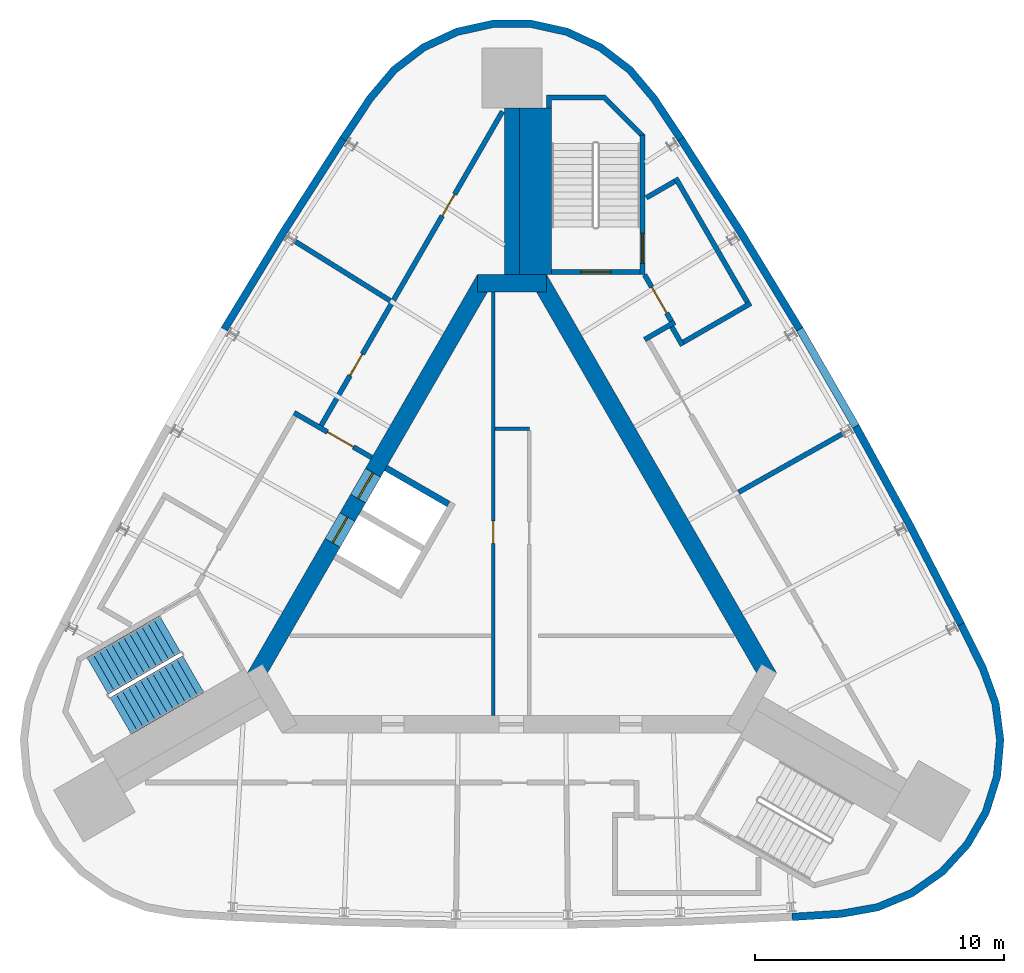
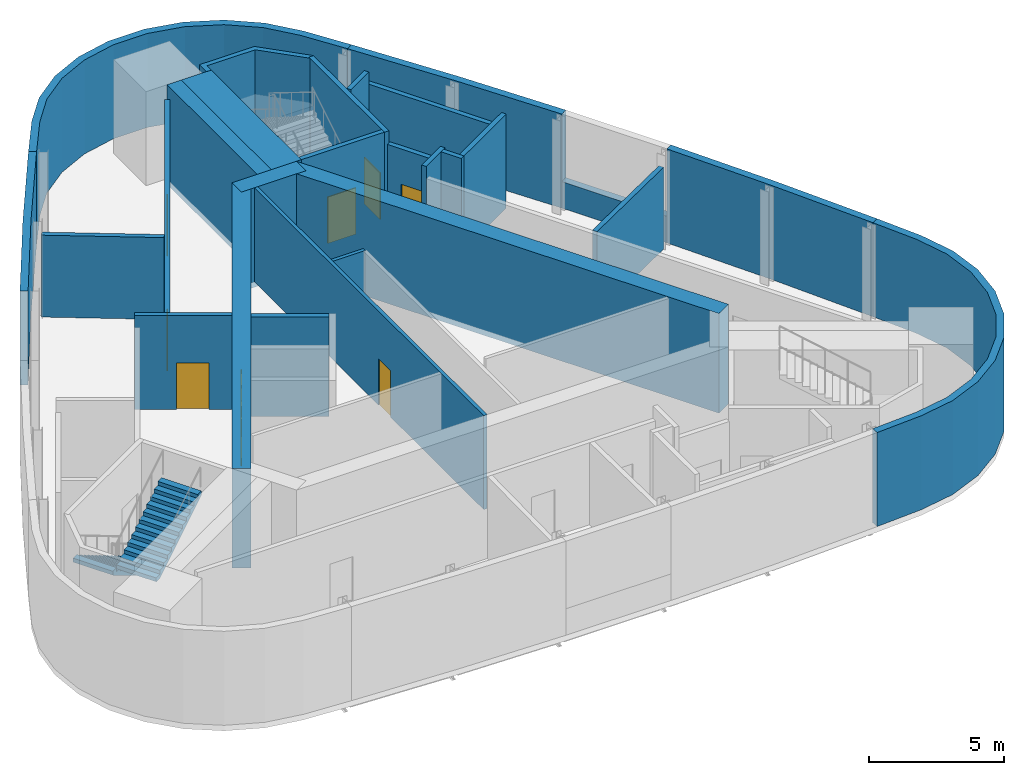
# One storey, part 5 of 7: 27 walls, 9 doors, 2 stair flights, 9 openings, 1 element without a shape of its own.
"""IFC4 building model written with IfcOpenShell, lengths in metres."""

import ifcopenshell
import ifcopenshell.guid

model = None  # the IFC model being written
_history = None  # IfcOwnerHistory: only IFC2X3 demands one
_inside = {}  # id of a spatial element -> (the spatial element, [elements in it])
_under = {}  # id of a project, library or spatial element -> (it, [spatial elements below it])
_declared = {}  # id of a project -> (the project, [libraries it declares])
_typed = {}  # id of a type object -> (the type object, [elements of that type])
_made_of = {}  # id of a material, layer set ... -> (it, [elements and type objects made of it])


def new_model(schema):
    """Start an empty IFC model of exactly this schema.

    Asked for "IFC4X3", IfcOpenShell would pick the latest addendum, in which some entities
    have other attributes; the version numbers below select the first issue.
    IFC2X3 requires an IfcOwnerHistory on every rooted entity: one is made here for all.
    """
    global model, _history
    if schema == "IFC4X3":
        model = ifcopenshell.file(schema_version=(4, 3, 0, 0))
    else:
        model = ifcopenshell.file(schema=schema)
    _inside.clear()
    _under.clear()
    _declared.clear()
    _typed.clear()
    _made_of.clear()
    _history = None
    if model.schema == "IFC2X3":
        org = make("IfcOrganization", Name="unknown")
        user = make(
            "IfcPersonAndOrganization",
            ThePerson=make("IfcPerson", FamilyName="unknown"),
            TheOrganization=org,
        )
        app = make(
            "IfcApplication",
            ApplicationDeveloper=org,
            Version="unknown",
            ApplicationFullName="unknown",
            ApplicationIdentifier="unknown",
        )
        _history = make(
            "IfcOwnerHistory",
            OwningUser=user,
            OwningApplication=app,
            ChangeAction="ADDED",
            CreationDate=0,
        )
    return model


def make(cls, **values):
    """One entity of the class cls with the attributes given. An attribute that is None is left unset."""
    return model.create_entity(
        cls, **{name: value for name, value in values.items() if value is not None}
    )


def rooted(cls, **values):
    """An entity with a GlobalId (a new one), such as an element, a storey or a relation."""
    return make(cls, GlobalId=ifcopenshell.guid.new(), OwnerHistory=_history, **values)


def si_unit(unit_type, name, prefix=None):
    """IfcSIUnit, for example si_unit("LENGTHUNIT", "METRE", prefix="MILLI")."""
    return make("IfcSIUnit", UnitType=unit_type, Prefix=prefix, Name=name)


def assignment(units):
    """IfcUnitAssignment: the units of a project."""
    return None if units is None else make("IfcUnitAssignment", Units=units)


def point(xyz):
    """IfcCartesianPoint."""
    return None if xyz is None else make("IfcCartesianPoint", Coordinates=xyz)


def direction(xyz):
    """IfcDirection."""
    return None if xyz is None else make("IfcDirection", DirectionRatios=xyz)


def frame(location, z_axis=None, x_axis=None):
    """IfcAxis2Placement3D, a coordinate frame: its origin and axes. An axis left out is left unset."""
    return make(
        "IfcAxis2Placement3D",
        Location=point(location),
        Axis=direction(z_axis),
        RefDirection=direction(x_axis),
    )


def frame_2d(location, x_axis=None):
    """IfcAxis2Placement2D, a coordinate frame in the plane: its origin and x axis."""
    return make(
        "IfcAxis2Placement2D", Location=point(location), RefDirection=direction(x_axis)
    )


def origin():
    """The frame at (0, 0, 0) with its axes left unset."""
    return frame((0.0, 0.0, 0.0))


def place(relative_to, where):
    """IfcLocalPlacement: puts the frame where relative to a parent placement (None: the world)."""
    return make(
        "IfcLocalPlacement", PlacementRelTo=relative_to, RelativePlacement=where
    )


def context(
    kind, dimensions, precision=None, world=None, true_north=None, identifier=None
):
    """IfcGeometricRepresentationContext, for example the 3D "Model" context."""
    return make(
        "IfcGeometricRepresentationContext",
        ContextIdentifier=identifier,
        ContextType=kind,
        CoordinateSpaceDimension=dimensions,
        Precision=precision,
        WorldCoordinateSystem=world,
        TrueNorth=true_north,
    )


def subcontext(parent, identifier, kind, view, scale=None):
    """IfcGeometricRepresentationSubContext, for example "Body" below "Model"."""
    return make(
        "IfcGeometricRepresentationSubContext",
        ContextIdentifier=identifier,
        ContextType=kind,
        ParentContext=parent,
        TargetScale=scale,
        TargetView=view,
    )


def project(units=None, contexts=None):
    """IfcProject with its units and contexts."""
    return rooted(
        "IfcProject",
        Name="project",
        RepresentationContexts=contexts,
        UnitsInContext=assignment(units),
    )


def spatial(cls, under=None, at=None, **own):
    """A site, building, storey or space (cls), placed at a placement, below another one or the project."""
    s = rooted(cls, ObjectPlacement=at, **own)
    if under is not None:
        _under.setdefault(under.id(), (under, []))[1].append(s)
    return s


def polyline(points):
    """IfcPolyline through the points."""
    return make("IfcPolyline", Points=[point(p) for p in points])


def profile(cls, at=None, kind="AREA", **sizes):
    """A parametric profile (cls). Its sizes go by their IFC names, for example OverallWidth=200.0."""
    return make(cls, ProfileType=kind, Position=at, **sizes)


def rectangle(**sizes):
    """IfcRectangleProfileDef."""
    return profile("IfcRectangleProfileDef", **sizes)


def outline(outer, holes=None, kind="AREA"):
    """IfcArbitraryClosedProfileDef: a profile drawn as a closed curve; with holes, ...WithVoids."""
    if holes is None:
        return make("IfcArbitraryClosedProfileDef", ProfileType=kind, OuterCurve=outer)
    return make(
        "IfcArbitraryProfileDefWithVoids",
        ProfileType=kind,
        OuterCurve=outer,
        InnerCurves=holes,
    )


def extrude(swept, where, along, depth):
    """IfcExtrudedAreaSolid: the profile swept, set in the frame where, extruded along a direction by depth."""
    return make(
        "IfcExtrudedAreaSolid",
        SweptArea=swept,
        Position=where,
        ExtrudedDirection=direction(along),
        Depth=depth,
    )


def shape(context_of_items, identifier, shape_type, items):
    """IfcShapeRepresentation: the items that make up one representation, for example the "Body"."""
    return make(
        "IfcShapeRepresentation",
        ContextOfItems=context_of_items,
        RepresentationIdentifier=identifier,
        RepresentationType=shape_type,
        Items=items,
    )


def material(Name=None, Category=None):
    """IfcMaterial."""
    return make("IfcMaterial", Name=Name, Category=Category)


def layer(
    of_material, thickness, ventilated=None, Name=None, Category=None, Priority=None
):
    """IfcMaterialLayer: one layer of a wall or slab, of a material (None: an air gap)."""
    return make(
        "IfcMaterialLayer",
        Material=of_material,
        LayerThickness=thickness,
        IsVentilated=ventilated,
        Name=Name,
        Category=Category,
        Priority=Priority,
    )


def layer_set(layers, Name=None):
    """IfcMaterialLayerSet."""
    return make("IfcMaterialLayerSet", MaterialLayers=layers, LayerSetName=Name)


def made_of(thing, what):
    """Note that an element or type object is made of a material, layer set ...; save() writes the relation."""
    if what is not None:
        _made_of.setdefault(what.id(), (what, []))[1].append(thing)
    return thing


def type_object(cls, material=None, **own):
    """A type object (cls), such as IfcWallType, which elements share."""
    return made_of(rooted(cls, **own), material)


def element(
    cls,
    number,
    at=None,
    inside=None,
    cuts=None,
    type_object=None,
    material=None,
    context=None,
    identifier="Body",
    shape_type=None,
    held_by="IfcProductDefinitionShape",
    body=None,
    shapes=None,
    **own,
):
    """One element of the class cls, such as IfcWall. Its Tag is "e" and its number.

    at: its placement. inside: the storey or other place that contains it. cuts: it is an
    opening in that element (IfcRelVoidsElement). A single representation is given by context,
    identifier, shape_type and body (its items); several are given by shapes. held_by: the class
    of the entity that holds the representations. save() writes the other relations.
    """
    e = rooted(cls, Tag="e%d" % number, ObjectPlacement=at, **own)
    if body is not None:
        shapes = [shape(context, identifier, shape_type, body)]
    if shapes is not None:
        e.Representation = make(held_by, Representations=shapes)
    if inside is not None:
        _inside.setdefault(inside.id(), (inside, []))[1].append(e)
    if cuts is not None:
        rooted(
            "IfcRelVoidsElement", RelatingBuildingElement=cuts, RelatedOpeningElement=e
        )
    if type_object is not None:
        _typed.setdefault(type_object.id(), (type_object, []))[1].append(e)
    return made_of(e, material)


def fill(opening, filler):
    """IfcRelFillsElement: the door or window that sits in an opening."""
    return rooted(
        "IfcRelFillsElement",
        RelatingOpeningElement=opening,
        RelatedBuildingElement=filler,
    )


def aggregate(whole, parts):
    """IfcRelAggregates: a whole, such as a stair, and the parts it consists of."""
    return rooted("IfcRelAggregates", RelatingObject=whole, RelatedObjects=parts)


def save(model, path):
    """Write the relations noted so far, then the file.

    IfcRelAggregates (storeys below a building ...), IfcRelContainedInSpatialStructure (elements
    in a storey), IfcRelDefinesByType, IfcRelAssociatesMaterial and IfcRelDeclares: one each for
    every whole, place, type object, material and project.
    """
    for whole, parts in _under.values():
        aggregate(whole, parts)
    for where, things in _inside.values():
        rooted(
            "IfcRelContainedInSpatialStructure",
            RelatedElements=things,
            RelatingStructure=where,
        )
    for kind, things in _typed.values():
        rooted("IfcRelDefinesByType", RelatedObjects=things, RelatingType=kind)
    for what, things in _made_of.values():
        rooted("IfcRelAssociatesMaterial", RelatedObjects=things, RelatingMaterial=what)
    for by, libraries in _declared.values():
        rooted("IfcRelDeclares", RelatingContext=by, RelatedDefinitions=libraries)
    model.write(path)


model = new_model("IFC4")

# Units and contexts
model_context = context("Model", 3, precision=1e-05, world=origin(), true_north=direction((0.0, 1.0)))
body_context = subcontext(model_context, "Body", "Model", "MODEL_VIEW")
ifc_project = project(units=[si_unit("LENGTHUNIT", "METRE"), si_unit("AREAUNIT", "SQUARE_METRE"), si_unit("VOLUMEUNIT", "CUBIC_METRE"), si_unit("PLANEANGLEUNIT", "RADIAN"), si_unit("MASSUNIT", "GRAM", prefix="KILO")], contexts=[model_context])

# Site, building, storey
site_placement = place(None, origin())
site = spatial("IfcSite", under=ifc_project, at=site_placement, CompositionType="ELEMENT")
building_placement = place(site_placement, origin())
building = spatial("IfcBuilding", under=site, at=building_placement, Name="Noor Cloister Tower", CompositionType="ELEMENT")
storey_placement = place(building_placement, frame((0.0, 0.0, 284.10009765625)))
storey = spatial("IfcBuildingStorey", under=building, at=storey_placement, Name="L72", CompositionType="ELEMENT", Elevation=284.10009765625)

# Wall
ifc_material_1 = material(Name="Concrete C50/60", Category="concrete")
ifc_layer_1 = layer(ifc_material_1, 0.60009765625)
ifc_layer_set_1 = layer_set([ifc_layer_1], Name="Buttress wall 600 C50/60")
wall_type_1 = type_object("IfcWallType", Name="Buttress wall 600 C50/60", PredefinedType="SHEAR", material=ifc_layer_set_1)
wall_1_placement = place(storey_placement, frame((0.0, 11.456298828125, -0.25), z_axis=(0.0, 0.0, 1.0), x_axis=(0.0, 1.0, 0.0)))
element("IfcWall", 1, at=wall_1_placement, inside=storey, type_object=wall_type_1, Name="Buttress wall N L72", PredefinedType="SHEAR", context=body_context, shape_type="SweptSolid", body=[
    extrude(rectangle(XDim=6.6787109375, YDim=0.60009765625, at=frame_2d((3.33935546875, 0.0))), origin(), (0.0, 0.0, 1.0), 4.5),
])

# Wall, opening, door
ifc_material_2 = material(Name="Concrete C30/37", Category="concrete")
ifc_layer_2 = layer(ifc_material_2, 0.14990234375)
ifc_layer_set_2 = layer_set([ifc_layer_2], Name="Core partition 150 C30/37")
wall_type_2 = type_object("IfcWallType", Name="Core partition 150 C30/37", PredefinedType="PARTITIONING", material=ifc_layer_set_2)
wall_2_placement = place(storey_placement, frame((-0.753662109375, 10.75634765625, 0.0), z_axis=(0.0, 0.0, 1.0), x_axis=(0.0, -1.0, 0.0)))
wall_2 = element("IfcWall", 2, at=wall_2_placement, inside=storey, type_object=wall_type_2, Name="Core room partition L72 2", PredefinedType="PARTITIONING", context=body_context, shape_type="SweptSolid", body=[
    extrude(rectangle(XDim=16.984619140625, YDim=0.14990234375, at=frame_2d((8.4921875, 0.0))), origin(), (0.0, 0.0, 1.0), 4.25),
])
opening_1_placement = place(wall_2_placement, frame((9.1845703125, 0.0, 0.0)))
opening_1 = element("IfcOpeningElement", 3, at=opening_1_placement, cuts=wall_2, Name="Opening L72-904", PredefinedType="OPENING", context=body_context, shape_type="SweptSolid", body=[
    extrude(rectangle(XDim=0.89990234375, YDim=2.10009765625, at=frame_2d((0.449951171875, 1.050048828125))), frame((0.0, 0.0849609375, 0.0), z_axis=(0.0, -1.0, 0.0), x_axis=(1.0, 0.0, 0.0)), (0.0, 0.0, 1.0), 0.169921875),
])
ifc_material_3 = material(Name="Steel", Category="steel")
door_type_1 = type_object("IfcDoorType", Name="Core door 900 x 2100 FD120", OperationType="SINGLE_SWING_LEFT", PredefinedType="DOOR", material=ifc_material_3)
door_1_placement = place(opening_1_placement, origin())
door_1 = element("IfcDoor", 4, at=door_1_placement, inside=storey, type_object=door_type_1, Name="Core door 4 L72", OperationType="SINGLE_SWING_RIGHT", OverallHeight=2.10009765625, OverallWidth=0.89990234375, PredefinedType="DOOR", context=body_context, shape_type="SweptSolid", body=[
    extrude(rectangle(XDim=0.89990234375, YDim=2.10009765625, at=frame_2d((0.449951171875, 1.050048828125))), frame((0.0, 0.02490234375, 0.0), z_axis=(0.0, -1.0, 0.0), x_axis=(1.0, 0.0, 0.0)), (0.0, 0.0, 1.0), 0.050048828125),
])
fill(opening_1, door_1)

# Walls
wall_3_placement = place(storey_placement, frame((-0.6787109375, 5.271728515625, 0.0), z_axis=(0.0, 0.0, 1.0), x_axis=(1.0, 0.0, 0.0)))
element("IfcWall", 5, at=wall_3_placement, inside=storey, type_object=wall_type_2, Name="Core room partition L72 3", PredefinedType="PARTITIONING", context=body_context, shape_type="SweptSolid", body=[
    extrude(rectangle(XDim=1.375, YDim=0.14990234375, at=frame_2d((0.6875, 0.0))), origin(), (0.0, 0.0, 1.0), 4.25),
])
ifc_material_4 = material(Name="Concrete C50/60", Category="concrete")
ifc_layer_3 = layer(ifc_material_4, 0.699951171875)
ifc_layer_set_3 = layer_set([ifc_layer_3], Name="Core wall 700 C50/60")
wall_type_3 = type_object("IfcWallType", Name="Core wall 700 C50/60", PredefinedType="SHEAR", material=ifc_layer_set_3)
wall_4_placement = place(storey_placement, frame((10.311279296875, -4.703125, -0.25), z_axis=(0.0, 0.0, 1.0), x_axis=(-0.500001446645, 0.866024568562, 0.0)))
element("IfcWall", 6, at=wall_4_placement, inside=storey, type_object=wall_type_3, Name="Core wall L72 3", PredefinedType="SHEAR", context=body_context, shape_type="SweptSolid", body=[
    extrude(rectangle(XDim=18.45751953125, YDim=0.699951171875, at=frame_2d((9.228759765625, 0.0))), origin(), (0.0, 0.0, 1.0), 4.5),
])
wall_5_placement = place(storey_placement, frame((1.3857421875, 11.1064453125, -0.25), z_axis=(0.0, 0.0, 1.0), x_axis=(-1.0, 0.0, 0.0)))
element("IfcWall", 7, at=wall_5_placement, inside=storey, type_object=wall_type_3, Name="Core wall L72 4", PredefinedType="SHEAR", context=body_context, shape_type="SweptSolid", body=[
    extrude(rectangle(XDim=2.771484375, YDim=0.699951171875, at=frame_2d((1.3857421875, 0.0))), origin(), (0.0, 0.0, 1.0), 4.5),
])

# Wall, openings, doors
wall_6_placement = place(storey_placement, frame((-1.08251953125, 11.281494140625, -0.25), z_axis=(0.0, 0.0, 1.0), x_axis=(-0.500001446645, -0.866024568562, 0.0)))
wall_6 = element("IfcWall", 8, at=wall_6_placement, inside=storey, type_object=wall_type_3, Name="Core wall L72 5", PredefinedType="SHEAR", context=body_context, shape_type="SweptSolid", body=[
    extrude(rectangle(XDim=18.45751953125, YDim=0.699951171875, at=frame_2d((9.228759765625, 0.0))), origin(), (0.0, 0.0, 1.0), 4.5),
])
opening_2_placement = place(wall_6_placement, frame((8.978759765625, 0.0, 0.25)))
opening_2 = element("IfcOpeningElement", 9, at=opening_2_placement, cuts=wall_6, Name="Opening L72-FF1", PredefinedType="OPENING", context=body_context, shape_type="SweptSolid", body=[
    extrude(rectangle(XDim=1.199951171875, YDim=2.10009765625, at=frame_2d((0.60009765625, 1.050048828125))), frame((0.0, 0.35986328125, 0.0), z_axis=(0.0, -1.0, 0.0), x_axis=(1.0, 0.0, 0.0)), (0.0, 0.0, 1.0), 0.719970703125),
])
opening_3_placement = place(wall_6_placement, frame((11.02880859375, 0.0, 0.25)))
opening_3 = element("IfcOpeningElement", 10, at=opening_3_placement, cuts=wall_6, Name="Opening L72-FF2", PredefinedType="OPENING", context=body_context, shape_type="SweptSolid", body=[
    extrude(rectangle(XDim=1.199951171875, YDim=2.10009765625, at=frame_2d((0.60009765625, 1.050048828125))), frame((0.0, 0.35986328125, 0.0), z_axis=(0.0, -1.0, 0.0), x_axis=(1.0, 0.0, 0.0)), (0.0, 0.0, 1.0), 0.719970703125),
])
ifc_material_5 = material(Name="Stainless steel", Category="steel")
door_type_2 = type_object("IfcDoorType", Name="Lift landing door 1200 x 2100", OperationType="DOUBLE_DOOR_SLIDING", PredefinedType="DOOR", material=ifc_material_5)
door_2_placement = place(opening_2_placement, origin())
door_2 = element("IfcDoor", 11, at=door_2_placement, inside=storey, type_object=door_type_2, Name="Landing door FF1 L72", OperationType="DOUBLE_DOOR_SLIDING", OverallHeight=2.10009765625, OverallWidth=1.199951171875, PredefinedType="DOOR", context=body_context, shape_type="SweptSolid", body=[
    extrude(rectangle(XDim=1.199951171875, YDim=2.10009765625, at=frame_2d((0.60009765625, 1.050048828125))), frame((0.0, 0.02490234375, 0.0), z_axis=(0.0, -1.0, 0.0), x_axis=(1.0, 0.0, 0.0)), (0.0, 0.0, 1.0), 0.050048828125),
])
fill(opening_2, door_2)
door_3_placement = place(opening_3_placement, origin())
door_3 = element("IfcDoor", 12, at=door_3_placement, inside=storey, type_object=door_type_2, Name="Landing door FF2 L72", OperationType="DOUBLE_DOOR_SLIDING", OverallHeight=2.10009765625, OverallWidth=1.199951171875, PredefinedType="DOOR", context=body_context, shape_type="SweptSolid", body=[
    extrude(rectangle(XDim=1.199951171875, YDim=2.10009765625, at=frame_2d((0.60009765625, 1.050048828125))), frame((0.0, 0.02490234375, 0.0), z_axis=(0.0, -1.0, 0.0), x_axis=(1.0, 0.0, 0.0)), (0.0, 0.0, 1.0), 0.050048828125),
])
fill(opening_3, door_3)

# Walls
ifc_material_6 = material(Name="Limestone", Category="masonry")
ifc_layer_4 = layer(ifc_material_6, 0.300048828125)
ifc_layer_set_4 = layer_set([ifc_layer_4], Name="Limestone cladding 300")
wall_type_4 = type_object("IfcWallType", Name="Limestone cladding 300", PredefinedType="NOTDEFINED", material=ifc_layer_set_4)
wall_7_placement = place(storey_placement, origin())
element("IfcWall", 13, at=wall_7_placement, inside=storey, type_object=wall_type_4, Name="Limestone pier cladding L72 2.1", PredefinedType="NOTDEFINED", context=body_context, shape_type="SweptSolid", body=[
    extrude(outline(polyline([(11.24365234375, -14.46044921875), (13.21142578125, -14.336181640625), (14.707763671875, -14.068603515625), (16.11083984375, -13.484619140625), (17.35498046875, -12.611083984375), (18.381103515625, -11.489990234375), (19.14111328125, -10.173583984375), (19.59912109375, -8.724365234375), (19.7333984375, -7.210205078125), (19.53759765625, -5.702880859375), (19.021240234375, -4.2734375), (18.14501953125, -2.507080078125), (17.876220703125, -2.640380859375), (18.744873046875, -4.391357421875), (19.244384765625, -5.77392578125), (19.431640625, -7.21630859375), (19.30322265625, -8.6650390625), (18.864990234375, -10.052001953125), (18.1376953125, -11.3115234375), (17.15576171875, -12.384521484375), (15.96533203125, -13.22021484375), (14.62255859375, -13.779052734375), (13.175537109375, -14.037841796875), (11.224853515625, -14.1611328125), (11.24365234375, -14.46044921875)])), origin(), (0.0, 0.0, 1.0), 4.25),
])
wall_8_placement = place(storey_placement, origin())
element("IfcWall", 14, at=wall_8_placement, inside=storey, type_object=wall_type_4, Name="Limestone pier cladding L72 3.1", PredefinedType="NOTDEFINED", context=body_context, shape_type="SweptSolid", body=[
    extrude(outline(polyline([(6.9013671875, 16.967529296875), (5.809814453125, 18.609619140625), (4.830078125, 19.771484375), (3.62255859375, 20.69482421875), (2.244140625, 21.33544921875), (0.760009765625, 21.66357421875), (-0.760009765625, 21.66357421875), (-2.244140625, 21.33544921875), (-3.62255859375, 20.69482421875), (-4.830078125, 19.771484375), (-5.809814453125, 18.609619140625), (-6.9013671875, 16.967529296875), (-6.6513671875, 16.801513671875), (-5.5693359375, 18.42919921875), (-4.621826171875, 19.55322265625), (-3.46630859375, 20.4365234375), (-2.1474609375, 21.049560546875), (-0.727294921875, 21.363525390625), (0.727294921875, 21.363525390625), (2.1474609375, 21.049560546875), (3.46630859375, 20.4365234375), (4.621826171875, 19.55322265625), (5.5693359375, 18.42919921875), (6.6513671875, 16.801513671875), (6.9013671875, 16.967529296875)])), origin(), (0.0, 0.0, 1.0), 4.25),
])
ifc_material_7 = material(Name="Limestone", Category="masonry")
ifc_layer_5 = layer(ifc_material_7, 0.300048828125)
ifc_layer_set_5 = layer_set([ifc_layer_5], Name="Limestone panel wall 300")
wall_type_5 = type_object("IfcWallType", Name="Limestone panel wall 300", PredefinedType="NOTDEFINED", material=ifc_layer_set_5)
wall_9_placement = place(storey_placement, origin())
element("IfcWall", 15, at=wall_9_placement, inside=storey, type_object=wall_type_5, Name="Limestone crown wall L72 1a", PredefinedType="NOTDEFINED", context=body_context, shape_type="SweptSolid", body=[
    extrude(outline(polyline([(-6.9013671875, 16.967529296875), (-9.32958984375, 13.178955078125), (-11.669189453125, 9.335205078125), (-11.4130859375, 9.17919921875), (-9.074951171875, 13.02001953125), (-6.648681640625, 16.8056640625), (-6.9013671875, 16.967529296875)])), origin(), (0.0, 0.0, 1.0), 4.25),
])
wall_10_placement = place(storey_placement, origin())
element("IfcWall", 16, at=wall_10_placement, inside=storey, type_object=wall_type_5, Name="Limestone crown wall L72 3a", PredefinedType="NOTDEFINED", context=body_context, shape_type="SweptSolid", body=[
    extrude(outline(polyline([(18.14501953125, -2.507080078125), (16.078125, 1.489990234375), (13.919189453125, 5.438232421875), (13.656005859375, 5.294189453125), (15.813232421875, 1.34912109375), (17.87841796875, -2.644775390625), (18.14501953125, -2.507080078125)])), origin(), (0.0, 0.0, 1.0), 4.25),
])
wall_11_placement = place(storey_placement, origin())
element("IfcWall", 17, at=wall_11_placement, inside=storey, type_object=wall_type_5, Name="Limestone crown wall L72 3b", PredefinedType="NOTDEFINED", context=body_context, shape_type="SweptSolid", body=[
    extrude(outline(polyline([(11.669189453125, 9.335205078125), (9.32958984375, 13.178955078125), (6.9013671875, 16.967529296875), (6.648681640625, 16.8056640625), (9.074951171875, 13.02001953125), (11.4130859375, 9.17919921875), (11.669189453125, 9.335205078125)])), origin(), (0.0, 0.0, 1.0), 4.25),
])
wall_12_placement = place(storey_placement, origin())
element("IfcWall", 18, at=wall_12_placement, inside=storey, type_object=wall_type_5, Name="Limestone crown wall L72 3 lower", PredefinedType="NOTDEFINED", context=body_context, shape_type="SweptSolid", body=[
    extrude(outline(polyline([(13.919189453125, 5.438232421875), (11.669189453125, 9.335205078125), (11.409423828125, 9.185302734375), (13.659423828125, 5.288330078125), (13.919189453125, 5.438232421875)])), origin(), (0.0, 0.0, 1.0), 1.199951171875),
])
ifc_material_8 = material(Name="Concrete C50/60", Category="concrete")
ifc_layer_6 = layer(ifc_material_8, 0.25)
ifc_layer_set_6 = layer_set([ifc_layer_6], Name="Shaft wall 250 C50/60")
wall_type_6 = type_object("IfcWallType", Name="Shaft wall 250 C50/60", PredefinedType="PARTITIONING", material=ifc_layer_set_6)
wall_13_placement = place(storey_placement, frame((-5.056396484375, 3.69873046875, -0.25), z_axis=(0.0, 0.0, 1.0), x_axis=(0.866032775405, -0.499987231761, 0.0)))
element("IfcWall", 19, at=wall_13_placement, inside=storey, type_object=wall_type_6, Name="Lift shaft wall L72 NW 3", PredefinedType="PARTITIONING", context=body_context, shape_type="SweptSolid", body=[
    extrude(rectangle(XDim=2.89990234375, YDim=0.25, at=frame_2d((1.449951171875, 0.0))), origin(), (0.0, 0.0, 1.0), 4.5),
])
ifc_material_9 = material(Name="Concrete C50/60", Category="concrete")
ifc_layer_7 = layer(ifc_material_9, 1.285888671875)
ifc_layer_set_7 = layer_set([ifc_layer_7], Name="Stair enclosure wall 1286 C50/60")
wall_type_7 = type_object("IfcWallType", Name="Stair enclosure wall 1286 C50/60", PredefinedType="SHEAR", material=ifc_layer_set_7)
wall_14_placement = place(storey_placement, frame((0.94287109375, 11.456298828125, -0.25), z_axis=(0.0, 0.0, 1.0), x_axis=(0.0, 1.0, 0.0)))
element("IfcWall", 20, at=wall_14_placement, inside=storey, type_object=wall_type_7, Name="Stair enclosure wall ST1 L72 riser side", PredefinedType="SHEAR", context=body_context, shape_type="SweptSolid", body=[
    extrude(rectangle(XDim=6.6787109375, YDim=1.28564453125, at=frame_2d((3.33935546875, 0.0))), origin(), (0.0, 0.0, 1.0), 4.5),
])

# Wall, opening, door
ifc_material_10 = material(Name="Concrete C50/60", Category="concrete")
ifc_layer_8 = layer(ifc_material_10, 0.199951171875)
ifc_layer_set_8 = layer_set([ifc_layer_8], Name="Stair enclosure wall 200 C50/60")
wall_type_8 = type_object("IfcWallType", Name="Stair enclosure wall 200 C50/60", PredefinedType="SHEAR", material=ifc_layer_set_8)
wall_15_placement = place(storey_placement, frame((5.135498046875, 11.556396484375, -0.25), z_axis=(0.0, 0.0, 1.0), x_axis=(-1.0, 0.0, 0.0)))
wall_15 = element("IfcWall", 21, at=wall_15_placement, inside=storey, type_object=wall_type_8, Name="Stair enclosure wall ST1 L72 near end", PredefinedType="SHEAR", context=body_context, shape_type="SweptSolid", body=[
    extrude(rectangle(XDim=3.5498046875, YDim=0.199951171875, at=frame_2d((1.77490234375, 0.0))), origin(), (0.0, 0.0, 1.0), 4.5),
])
opening_4_placement = place(wall_15_placement, frame((1.175048828125, 0.0, 0.25)))
opening_4 = element("IfcOpeningElement", 22, at=opening_4_placement, cuts=wall_15, Name="Opening L72-ST1L", PredefinedType="OPENING", context=body_context, shape_type="SweptSolid", body=[
    extrude(rectangle(XDim=1.199951171875, YDim=2.10009765625, at=frame_2d((0.60009765625, 1.050048828125))), frame((0.0, 0.10986328125, 0.0), z_axis=(0.0, -1.0, 0.0), x_axis=(1.0, 0.0, 0.0)), (0.0, 0.0, 1.0), 0.219970703125),
])
ifc_material_11 = material(Name="Steel", Category="steel")
door_type_3 = type_object("IfcDoorType", Name="Stair door 1200 x 2100 FD120", OperationType="SINGLE_SWING_LEFT", PredefinedType="DOOR", material=ifc_material_11)
door_4_placement = place(opening_4_placement, origin())
door_4 = element("IfcDoor", 23, at=door_4_placement, inside=storey, type_object=door_type_3, Name="Stair door ST1 L72", OperationType="SINGLE_SWING_RIGHT", OverallHeight=2.10009765625, OverallWidth=1.199951171875, PredefinedType="DOOR", context=body_context, shape_type="SweptSolid", body=[
    extrude(rectangle(XDim=1.199951171875, YDim=2.10009765625, at=frame_2d((0.60009765625, 1.050048828125))), frame((0.0, 0.02490234375, 0.0), z_axis=(0.0, -1.0, 0.0), x_axis=(1.0, 0.0, 0.0)), (0.0, 0.0, 1.0), 0.050048828125),
])
fill(opening_4, door_4)

wall_16_placement = place(storey_placement, frame((5.235595703125, 11.456298828125, -0.25), z_axis=(0.0, 0.0, 1.0), x_axis=(0.0, 1.0, 0.0)))
wall_16 = element("IfcWall", 24, at=wall_16_placement, inside=storey, type_object=wall_type_8, Name="Stair enclosure wall ST1 L72 outer side", PredefinedType="SHEAR", context=body_context, shape_type="SweptSolid", body=[
    extrude(rectangle(XDim=5.60009765625, YDim=0.199951171875, at=frame_2d((2.800048828125, 0.0))), origin(), (0.0, 0.0, 1.0), 4.5),
])
opening_5_placement = place(wall_16_placement, frame((0.449951171875, 0.0, 0.25)))
opening_5 = element("IfcOpeningElement", 25, at=opening_5_placement, cuts=wall_16, Name="Opening L72-ST1C", PredefinedType="OPENING", context=body_context, shape_type="SweptSolid", body=[
    extrude(rectangle(XDim=1.199951171875, YDim=2.10009765625, at=frame_2d((0.60009765625, 1.050048828125))), frame((0.0, 0.10986328125, 0.0), z_axis=(0.0, -1.0, 0.0), x_axis=(1.0, 0.0, 0.0)), (0.0, 0.0, 1.0), 0.219970703125),
])
door_5_placement = place(opening_5_placement, origin())
door_5 = element("IfcDoor", 26, at=door_5_placement, inside=storey, type_object=door_type_3, Name="Stair door ST1 L72", OperationType="SINGLE_SWING_LEFT", OverallHeight=2.10009765625, OverallWidth=1.199951171875, PredefinedType="DOOR", context=body_context, shape_type="SweptSolid", body=[
    extrude(rectangle(XDim=1.199951171875, YDim=2.10009765625, at=frame_2d((0.60009765625, 1.050048828125))), frame((0.0, 0.02490234375, 0.0), z_axis=(0.0, -1.0, 0.0), x_axis=(1.0, 0.0, 0.0)), (0.0, 0.0, 1.0), 0.050048828125),
])
fill(opening_5, door_5)

# Wall
ifc_material_12 = material(Name="Concrete C50/60", Category="concrete")
wall_type_9 = type_object("IfcWallType", Name="Stair far end wall C50/60", PredefinedType="SHEAR", material=ifc_material_12)
wall_17_placement = place(storey_placement, frame((0.0, 0.0, -0.25)))
element("IfcWall", 27, at=wall_17_placement, inside=storey, type_object=wall_type_9, Name="Stair enclosure wall ST1 L72 far end", PredefinedType="SHEAR", context=body_context, shape_type="SweptSolid", body=[
    extrude(outline(polyline([(5.335693359375, 17.056396484375), (3.735595703125, 18.656494140625), (1.385498046875, 18.656494140625), (1.385498046875, 18.135009765625), (1.585693359375, 18.135009765625), (1.585693359375, 18.456298828125), (3.65283203125, 18.456298828125), (5.135498046875, 16.9736328125), (5.135498046875, 17.056396484375), (5.135498046875, 17.056396484375), (5.135498046875, 17.056396484375), (5.135498046875, 17.056396484375), (5.135498046875, 17.056396484375), (5.135498046875, 17.056396484375), (5.135498046875, 17.056396484375), (5.135498046875, 17.056396484375), (5.135498046875, 17.056396484375), (5.135498046875, 17.056396484375), (5.135498046875, 17.056396484375), (5.135498046875, 17.056396484375), (5.135498046875, 17.056396484375), (5.135498046875, 17.056396484375), (5.135498046875, 17.056396484375), (5.135498046875, 17.056396484375), (5.135498046875, 17.056396484375), (5.335693359375, 17.056396484375)])), origin(), (0.0, 0.0, 1.0), 4.5),
])

# Wall, opening, door
ifc_material_13 = material(Name="Concrete block wall, 200 mm", Category="concrete")
ifc_layer_9 = layer(ifc_material_13, 0.199951171875)
ifc_layer_set_9 = layer_set([ifc_layer_9], Name="Upper floor plant room wall 200")
wall_type_10 = type_object("IfcWallType", Name="Upper floor plant room wall 200", PredefinedType="PARTITIONING", material=ifc_layer_set_9)
wall_18_placement = place(storey_placement, frame((-8.740966796875, 5.91259765625, 0.0), z_axis=(0.0, 0.0, 1.0), x_axis=(0.866017220491, -0.500014173611, 0.0)))
wall_18 = element("IfcWall", 28, at=wall_18_placement, inside=storey, type_object=wall_type_10, Name="Upper floor plant room wall 200 L72 001", PredefinedType="PARTITIONING", context=body_context, shape_type="SweptSolid", body=[
    extrude(rectangle(XDim=3.59814453125, YDim=0.199951171875, at=frame_2d((1.799072265625, 0.0))), origin(), (0.0, 0.0, 1.0), 4.25),
])
opening_6_placement = place(wall_18_placement, frame((1.547607421875, 0.0, 0.0)))
opening_6 = element("IfcOpeningElement", 29, at=opening_6_placement, cuts=wall_18, Name="Opening L72-003", PredefinedType="OPENING", context=body_context, shape_type="SweptSolid", body=[
    extrude(rectangle(XDim=1.199951171875, YDim=2.10009765625, at=frame_2d((0.60009765625, 1.050048828125))), frame((0.0, 0.10986328125, 0.0), z_axis=(0.0, -1.0, 0.0), x_axis=(1.0, 0.0, 0.0)), (0.0, 0.0, 1.0), 0.219970703125),
])
ifc_material_14 = material(Name="Timber door leaf with steel frame", Category="steel")
door_type_4 = type_object("IfcDoorType", Name="Firefighting lobby door 1200", OperationType="NOTDEFINED", PredefinedType="DOOR", material=ifc_material_14)
door_6_placement = place(opening_6_placement, origin())
door_6 = element("IfcDoor", 30, at=door_6_placement, inside=storey, type_object=door_type_4, Name="Firefighting lobby door 1200 L72-003", OperationType="SINGLE_SWING_RIGHT", OverallHeight=2.10009765625, OverallWidth=1.199951171875, PredefinedType="DOOR", context=body_context, shape_type="SweptSolid", body=[
    extrude(rectangle(XDim=1.199951171875, YDim=2.10009765625, at=frame_2d((0.60009765625, 1.050048828125))), frame((0.0, 0.02490234375, 0.0), z_axis=(0.0, -1.0, 0.0), x_axis=(1.0, 0.0, 0.0)), (0.0, 0.0, 1.0), 0.050048828125),
])
fill(opening_6, door_6)

# Wall, openings, doors
wall_19_placement = place(storey_placement, frame((-7.653564453125, 5.400146484375, 0.0), z_axis=(0.0, 0.0, 1.0), x_axis=(0.500007192329, 0.866021251252, 0.0)))
wall_19 = element("IfcWall", 31, at=wall_19_placement, inside=storey, type_object=wall_type_10, Name="Upper floor plant room wall 200 L72 004", PredefinedType="PARTITIONING", context=body_context, shape_type="SweptSolid", body=[
    extrude(rectangle(XDim=14.547119140625, YDim=0.199951171875, at=frame_2d((7.2734375, 0.0))), origin(), (0.0, 0.0, 1.0), 3.701904296875),
])
opening_7_placement = place(wall_19_placement, frame((9.708740234375, 0.0, 0.0)))
opening_7 = element("IfcOpeningElement", 32, at=opening_7_placement, cuts=wall_19, Name="Opening L72-001", PredefinedType="OPENING", context=body_context, shape_type="SweptSolid", body=[
    extrude(rectangle(XDim=1.0, YDim=2.10009765625, at=frame_2d((0.5, 1.050048828125))), frame((0.0, 0.10986328125, 0.0), z_axis=(0.0, -1.0, 0.0), x_axis=(1.0, 0.0, 0.0)), (0.0, 0.0, 1.0), 0.219970703125),
])
opening_8_placement = place(wall_19_placement, frame((2.306396484375, 0.0, 0.0)))
opening_8 = element("IfcOpeningElement", 33, at=opening_8_placement, cuts=wall_19, Name="Opening L72-002", PredefinedType="OPENING", context=body_context, shape_type="SweptSolid", body=[
    extrude(rectangle(XDim=1.0, YDim=2.10009765625, at=frame_2d((0.5, 1.050048828125))), frame((0.0, 0.10986328125, 0.0), z_axis=(0.0, -1.0, 0.0), x_axis=(1.0, 0.0, 0.0)), (0.0, 0.0, 1.0), 0.219970703125),
])
ifc_material_15 = material(Name="Timber door leaf with steel frame", Category="steel")
door_type_5 = type_object("IfcDoorType", Name="Plant room door 1000", OperationType="NOTDEFINED", PredefinedType="DOOR", material=ifc_material_15)
door_7_placement = place(opening_7_placement, origin())
door_7 = element("IfcDoor", 34, at=door_7_placement, inside=storey, type_object=door_type_5, Name="Plant room door 1000 L72-001", OperationType="SINGLE_SWING_RIGHT", OverallHeight=2.10009765625, OverallWidth=1.0, PredefinedType="DOOR", context=body_context, shape_type="SweptSolid", body=[
    extrude(rectangle(XDim=1.0, YDim=2.10009765625, at=frame_2d((0.5, 1.050048828125))), frame((0.0, 0.02490234375, 0.0), z_axis=(0.0, -1.0, 0.0), x_axis=(1.0, 0.0, 0.0)), (0.0, 0.0, 1.0), 0.050048828125),
])
fill(opening_7, door_7)
door_8_placement = place(opening_8_placement, origin())
door_8 = element("IfcDoor", 35, at=door_8_placement, inside=storey, type_object=door_type_5, Name="Plant room door 1000 L72-002", OperationType="SINGLE_SWING_LEFT", OverallHeight=2.10009765625, OverallWidth=1.0, PredefinedType="DOOR", context=body_context, shape_type="SweptSolid", body=[
    extrude(rectangle(XDim=1.0, YDim=2.10009765625, at=frame_2d((0.5, 1.050048828125))), frame((0.0, 0.02490234375, 0.0), z_axis=(0.0, -1.0, 0.0), x_axis=(1.0, 0.0, 0.0)), (0.0, 0.0, 1.0), 0.050048828125),
])
fill(opening_8, door_8)

# Walls
wall_20_placement = place(storey_placement, frame((-8.73583984375, 12.80810546875, 0.0), z_axis=(0.0, 0.0, 1.0), x_axis=(0.848122134255, -0.529800760085, 0.0)))
element("IfcWall", 36, at=wall_20_placement, inside=storey, type_object=wall_type_10, Name="Upper floor plant room wall 200 L72 005", PredefinedType="PARTITIONING", context=body_context, shape_type="SweptSolid", body=[
    extrude(rectangle(XDim=4.54052734375, YDim=0.199951171875, at=frame_2d((2.270263671875, 0.0))), origin(), (0.0, 0.0, 1.0), 3.701904296875),
])
wall_21_placement = place(storey_placement, frame((6.407958984375, 9.357666015625, 0.0), z_axis=(0.0, 0.0, 1.0), x_axis=(0.49996696679, -0.866044474677, 0.0)))
element("IfcWall", 37, at=wall_21_placement, inside=storey, type_object=wall_type_10, Name="Upper floor plant room wall 200 L72 017", PredefinedType="PARTITIONING", context=body_context, shape_type="SweptSolid", body=[
    extrude(rectangle(XDim=0.8642578125, YDim=0.199951171875, at=frame_2d((0.43212890625, 0.0))), origin(), (0.0, 0.0, 1.0), 4.25),
])
wall_22_placement = place(storey_placement, frame((5.3203125, 8.84521484375, 0.0), z_axis=(0.0, 0.0, 1.0), x_axis=(0.866031452229, 0.49998952364, 0.0)))
element("IfcWall", 38, at=wall_22_placement, inside=storey, type_object=wall_type_10, Name="Upper floor plant room wall 200 L72 018", PredefinedType="PARTITIONING", context=body_context, shape_type="SweptSolid", body=[
    extrude(rectangle(XDim=1.39794921875, YDim=0.199951171875, at=frame_2d((0.698974609375, 0.0))), origin(), (0.0, 0.0, 1.0), 4.25),
])

# Wall, opening, door
wall_23_placement = place(storey_placement, frame((6.39453125, 9.580810546875, 0.0), z_axis=(0.0, 0.0, 1.0), x_axis=(-0.500003735859, 0.866023246874, 0.0)))
wall_23 = element("IfcWall", 39, at=wall_23_placement, inside=storey, type_object=wall_type_10, Name="Upper floor plant room wall 200 L72 019", PredefinedType="PARTITIONING", context=body_context, shape_type="SweptSolid", body=[
    extrude(rectangle(XDim=2.15380859375, YDim=0.199951171875, at=frame_2d((1.076904296875, 0.0))), origin(), (0.0, 0.0, 1.0), 3.701904296875),
])
opening_9_placement = place(wall_23_placement, frame((0.383056640625, 0.0, 0.0)))
opening_9 = element("IfcOpeningElement", 40, at=opening_9_placement, cuts=wall_23, Name="Opening L72-011", PredefinedType="OPENING", context=body_context, shape_type="SweptSolid", body=[
    extrude(rectangle(XDim=1.199951171875, YDim=2.10009765625, at=frame_2d((0.60009765625, 1.050048828125))), frame((0.0, 0.10986328125, 0.0), z_axis=(0.0, -1.0, 0.0), x_axis=(1.0, 0.0, 0.0)), (0.0, 0.0, 1.0), 0.219970703125),
])
ifc_material_16 = material(Name="Timber door leaf with steel frame", Category="steel")
door_type_6 = type_object("IfcDoorType", Name="Protected lobby door 1200", OperationType="NOTDEFINED", PredefinedType="DOOR", material=ifc_material_16)
door_9_placement = place(opening_9_placement, origin())
door_9 = element("IfcDoor", 41, at=door_9_placement, inside=storey, type_object=door_type_6, Name="Protected lobby door 1200 L72-011", OperationType="SINGLE_SWING_LEFT", OverallHeight=2.10009765625, OverallWidth=1.199951171875, PredefinedType="DOOR", context=body_context, shape_type="SweptSolid", body=[
    extrude(rectangle(XDim=1.199951171875, YDim=2.10009765625, at=frame_2d((0.60009765625, 1.050048828125))), frame((0.0, 0.02490234375, 0.0), z_axis=(0.0, -1.0, 0.0), x_axis=(1.0, 0.0, 0.0)), (0.0, 0.0, 1.0), 0.050048828125),
])
fill(opening_9, door_9)

# Walls
wall_24_placement = place(storey_placement, frame((9.085693359375, 2.7216796875, 0.0), z_axis=(0.0, 0.0, 1.0), x_axis=(0.87175044705, 0.489950158759, 0.0)))
element("IfcWall", 42, at=wall_24_placement, inside=storey, type_object=wall_type_10, Name="Upper floor plant room wall 200 L72 021", PredefinedType="PARTITIONING", context=body_context, shape_type="SweptSolid", body=[
    extrude(rectangle(XDim=4.844482421875, YDim=0.199951171875, at=frame_2d((2.42236328125, 0.0))), origin(), (0.0, 0.0, 1.0), 3.701904296875),
])
wall_25_placement = place(storey_placement, frame((6.877685546875, 8.743896484375, 0.0), z_axis=(0.0, 0.0, 1.0), x_axis=(0.866023983177, 0.500002460556, 0.0)))
element("IfcWall", 43, at=wall_25_placement, inside=storey, type_object=wall_type_10, Name="Upper floor plant room wall 200 L72 022", PredefinedType="PARTITIONING", context=body_context, shape_type="SweptSolid", body=[
    extrude(rectangle(XDim=3.11962890625, YDim=0.199951171875, at=frame_2d((1.559814453125, 0.0))), origin(), (0.0, 0.0, 1.0), 4.25),
])
wall_26_placement = place(storey_placement, frame((6.566162109375, 15.326904296875, 0.0), z_axis=(0.0, 0.0, 1.0), x_axis=(0.499997778408, -0.866026686418, 0.0)))
element("IfcWall", 44, at=wall_26_placement, inside=storey, type_object=wall_type_10, Name="Upper floor plant room wall 200 L72 023", PredefinedType="PARTITIONING", context=body_context, shape_type="SweptSolid", body=[
    extrude(rectangle(XDim=5.7568359375, YDim=0.199951171875, at=frame_2d((2.87841796875, 0.0))), origin(), (0.0, 0.0, 1.0), 3.701904296875),
])
wall_27_placement = place(storey_placement, frame((6.528564453125, 15.19189453125, 0.0), z_axis=(0.0, 0.0, 1.0), x_axis=(-0.866117824122, -0.499839889103, 0.0)))
element("IfcWall", 45, at=wall_27_placement, inside=storey, type_object=wall_type_10, Name="Upper floor plant room wall 200 L72 024", PredefinedType="PARTITIONING", context=body_context, shape_type="SweptSolid", body=[
    extrude(rectangle(XDim=1.31982421875, YDim=0.199951171875, at=frame_2d((0.659912109375, 0.0))), origin(), (0.0, 0.0, 1.0), 4.25),
])

# Stair, stair flights
ifc_material_17 = material(Name="Concrete C40/50", Category="concrete")
stair_type = type_object("IfcStairType", Name="Exit stair 26 risers", PredefinedType="HALF_TURN_STAIR", material=ifc_material_17)
stair_placement = place(storey_placement, origin())
stair = element("IfcStair", 46, at=stair_placement, inside=storey, type_object=stair_type, Name="Exit stair ST2 L72", PredefinedType="HALF_TURN_STAIR")
ifc_material_18 = material(Name="Concrete C40/50", Category="concrete")
stair_flight_type = type_object("IfcStairFlightType", Name="Exit stair flight", PredefinedType="STRAIGHT", material=ifc_material_18)
stair_flight_1_placement = place(storey_placement, frame((-13.709716796875, -2.966796875, 0.0), z_axis=(0.0, 0.0, 1.0), x_axis=(-0.866025403784, -0.5, 0.0)))
stair_flight_1 = element("IfcStairFlight", 47, at=stair_flight_1_placement, type_object=stair_flight_type, Name="ST2 flight 1", NumberOfRisers=13, NumberOfTreads=12, PredefinedType="STRAIGHT", RiserHeight=0.173076923, TreadLength=0.28, context=body_context, shape_type="SweptSolid", body=[
    extrude(outline(polyline([(0.0, 0.0), (0.0, 0.173095703125), (0.280029296875, 0.173095703125), (0.280029296875, 0.34619140625), (0.56005859375, 0.34619140625), (0.56005859375, 0.519287109375), (0.840087890625, 0.519287109375), (0.840087890625, 0.6923828125), (1.1201171875, 0.6923828125), (1.1201171875, 0.865478515625), (1.39990234375, 0.865478515625), (1.39990234375, 1.03857421875), (1.679931640625, 1.03857421875), (1.679931640625, 1.21142578125), (1.9599609375, 1.21142578125), (1.9599609375, 1.384521484375), (2.239990234375, 1.384521484375), (2.239990234375, 1.5576171875), (2.52001953125, 1.5576171875), (2.52001953125, 1.730712890625), (2.800048828125, 1.730712890625), (2.800048828125, 1.90380859375), (3.080078125, 1.90380859375), (3.080078125, 2.076904296875), (3.360107421875, 2.076904296875), (3.360107421875, 2.25), (3.360107421875, 1.900634765625), (0.28515625, 0.0), (0.0, 0.0)])), frame((0.0, 0.85009765625, 0.0), z_axis=(0.0, -1.0, 0.0), x_axis=(1.0, 0.0, 0.0)), (0.0, 0.0, 1.0), 1.699951171875),
])
stair_flight_2_placement = place(storey_placement, frame((-15.694580078125, -6.248779296875, 2.25), z_axis=(0.0, 0.0, 1.0), x_axis=(0.866025403784, 0.5, 0.0)))
stair_flight_2 = element("IfcStairFlight", 48, at=stair_flight_2_placement, type_object=stair_flight_type, Name="ST2 flight 2", NumberOfRisers=13, NumberOfTreads=12, PredefinedType="STRAIGHT", RiserHeight=0.173076923, TreadLength=0.28, context=body_context, shape_type="SweptSolid", body=[
    extrude(outline(polyline([(0.0, 0.0), (0.0, 0.173095703125), (0.280029296875, 0.173095703125), (0.280029296875, 0.34619140625), (0.56005859375, 0.34619140625), (0.56005859375, 0.519287109375), (0.840087890625, 0.519287109375), (0.840087890625, 0.6923828125), (1.1201171875, 0.6923828125), (1.1201171875, 0.865478515625), (1.39990234375, 0.865478515625), (1.39990234375, 1.03857421875), (1.679931640625, 1.03857421875), (1.679931640625, 1.21142578125), (1.9599609375, 1.21142578125), (1.9599609375, 1.384521484375), (2.239990234375, 1.384521484375), (2.239990234375, 1.5576171875), (2.52001953125, 1.5576171875), (2.52001953125, 1.730712890625), (2.800048828125, 1.730712890625), (2.800048828125, 1.90380859375), (3.080078125, 1.90380859375), (3.080078125, 2.076904296875), (3.360107421875, 2.076904296875), (3.360107421875, 2.25), (3.360107421875, 1.900634765625), (0.28515625, 0.0), (0.0, 0.0)])), frame((0.0, 0.85009765625, 0.0), z_axis=(0.0, -1.0, 0.0), x_axis=(1.0, 0.0, 0.0)), (0.0, 0.0, 1.0), 1.699951171875),
])
aggregate(stair, [stair_flight_1, stair_flight_2])

save(model, "model.ifc")
